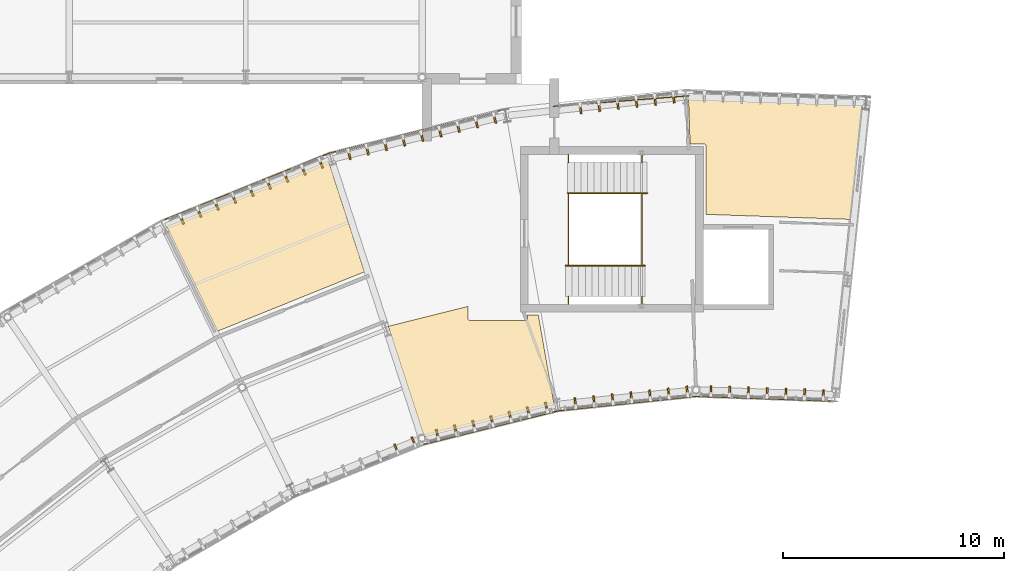
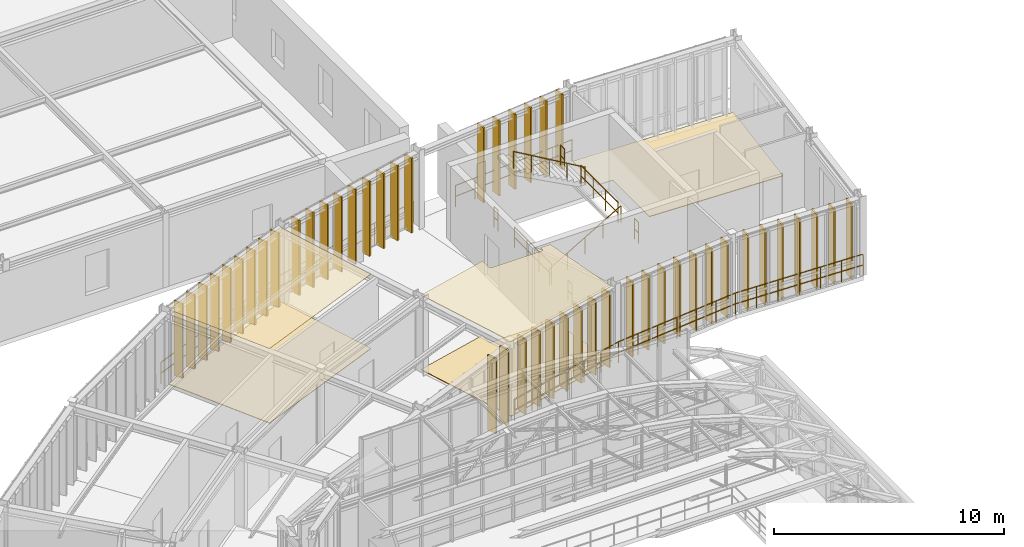
# One storey, part 146 of 148: 52 coverings, 14 railings.
"""IFC4 building model written with IfcOpenShell, lengths in metres."""

from ifc_helpers import new_model, si_unit, direction, frame, origin, origin_2d, place, context, subcontext, project, spatial, polyline, rectangle, circle, outline, extrude, material, layer, layer_set, type_object, element, save


model = new_model("IFC4")

# Units and contexts
model_context = context("Model", 3, precision=1e-05, world=origin(), true_north=direction((0.0, 1.0)))
body_context = subcontext(model_context, "Body", "Model", "MODEL_VIEW")
ifc_project = project(units=[si_unit("LENGTHUNIT", "METRE"), si_unit("AREAUNIT", "SQUARE_METRE"), si_unit("VOLUMEUNIT", "CUBIC_METRE"), si_unit("PLANEANGLEUNIT", "RADIAN"), si_unit("MASSUNIT", "GRAM", prefix="KILO"), si_unit("THERMODYNAMICTEMPERATUREUNIT", "KELVIN"), si_unit("POWERUNIT", "WATT")], contexts=[model_context])

# Site, building, storey
site_placement = place(None, origin())
site = spatial("IfcSite", under=ifc_project, at=site_placement, CompositionType="ELEMENT")
building_placement = place(site_placement, origin())
building = spatial("IfcBuilding", under=site, at=building_placement, Name="Solvatero Civic Police Headquarters", CompositionType="ELEMENT")
storey_placement = place(building_placement, frame((0.0, 0.0, 5.10009765625)))
storey = spatial("IfcBuildingStorey", under=building, at=storey_placement, Name="L01", CompositionType="ELEMENT", Elevation=5.10009765625)

# Coverings
ifc_material_1 = material(Name="Mineral-Fibre Acoustic Tile", Category="gypsum")
ifc_layer_1 = layer(ifc_material_1, 0.02490234375)
ifc_layer_set_1 = layer_set([ifc_layer_1], Name="Mineral-Fibre Acoustic Tile")
covering_type_1 = type_object("IfcCoveringType", Name="COV-CEIL-AC", PredefinedType="CEILING", material=ifc_layer_set_1)
covering_1_placement = place(storey_placement, frame((0.0, 0.0, 3.954833984375)))
element("IfcCovering", 1, at=covering_1_placement, inside=storey, type_object=covering_type_1, Name="Acoustic Ceiling Metropolitan Fraud Investigation Unit Bay 3", PredefinedType="CEILING", context=body_context, shape_type="SweptSolid", body=[
    extrude(outline(polyline([(80.096435546875, 69.1787109375), (78.4619140625, 74.209228515625), (82.080078125, 75.111328125), (82.080078125, 74.56005859375), (82.080322265625, 74.55224609375), (82.08154296875, 74.54443359375), (82.08349609375, 74.536865234375), (82.086181640625, 74.529296875), (82.08935546875, 74.522216796875), (82.093505859375, 74.515625), (82.09814453125, 74.50927734375), (82.103515625, 74.50341796875), (82.109130859375, 74.498291015625), (82.115478515625, 74.493408203125), (82.122314453125, 74.489501953125), (82.12939453125, 74.486083984375), (82.13671875, 74.4833984375), (82.144287109375, 74.4814453125), (82.152099609375, 74.48046875), (82.159912109375, 74.47998046875), (84.68994140625, 74.47998046875), (84.69775390625, 74.48046875), (84.70556640625, 74.4814453125), (84.713134765625, 74.4833984375), (84.720703125, 74.486083984375), (84.727783203125, 74.489501953125), (84.734375, 74.493408203125), (84.74072265625, 74.498291015625), (84.74658203125, 74.50341796875), (84.751708984375, 74.50927734375), (84.756591796875, 74.515625), (84.760498046875, 74.522216796875), (84.763916015625, 74.529296875), (84.7666015625, 74.536865234375), (84.7685546875, 74.54443359375), (84.76953125, 74.55224609375), (84.77001953125, 74.56005859375), (84.77001953125, 74.72998046875), (85.265380859375, 74.72998046875), (85.9853515625, 70.647216796875), (80.096435546875, 69.1787109375)])), origin(), (0.0, 0.0, 1.0), 0.025146484375),
])
covering_2_placement = place(storey_placement, frame((0.0, 0.0, 3.954833984375)))
element("IfcCovering", 2, at=covering_2_placement, inside=storey, type_object=covering_type_1, Name="Acoustic Ceiling Detective Casework Squad Room Bay 4", PredefinedType="CEILING", context=body_context, shape_type="SweptSolid", body=[
    extrude(outline(polyline([(70.728759765625, 73.987060546875), (68.409912109375, 78.7412109375), (75.752197265625, 81.70751953125), (77.38671875, 76.677001953125), (70.728759765625, 73.987060546875)])), origin(), (0.0, 0.0, 1.0), 0.025146484375),
])
ifc_material_2 = material(Name="Anodized Bronze Aluminium", Category="aluminium")
ifc_layer_2 = layer(ifc_material_2, 0.080078125)
ifc_layer_set_2 = layer_set([ifc_layer_2], Name="Anodized Bronze Aluminium")
covering_type_2 = type_object("IfcCoveringType", Name="COV-FIN-480", PredefinedType="CLADDING", material=ifc_layer_set_2)
for number, where, z_axis, x_axis, name in (
    (3, (98.190185546875, 71.101318359375, -0.02001953125), (0.0, 0.0, 1.0), (-0.999390827019, 0.034899496703, 0.0), "Vertical Brise-Soleil Fin 0166"),
    (4, (97.340576171875, 71.131103515625, -0.02001953125), (0.0, 0.0, 1.0), (-0.999390827019, 0.034899496703, 0.0), "Vertical Brise-Soleil Fin 0167"),
    (5, (96.4912109375, 71.16064453125, -0.02001953125), (0.0, 0.0, 1.0), (-0.999390827019, 0.034899496703, 0.0), "Vertical Brise-Soleil Fin 0168"),
    (6, (95.6416015625, 71.1904296875, -0.02001953125), (0.0, 0.0, 1.0), (-0.999390827019, 0.034899496703, 0.0), "Vertical Brise-Soleil Fin 0169"),
    (7, (94.7919921875, 71.219970703125, -0.02001953125), (0.0, 0.0, 1.0), (-0.999390827019, 0.034899496703, 0.0), "Vertical Brise-Soleil Fin 0170"),
    (8, (93.942626953125, 71.249755859375, -0.02001953125), (0.0, 0.0, 1.0), (-0.999390827019, 0.034899496703, 0.0), "Vertical Brise-Soleil Fin 0171"),
    (9, (93.09326171875, 71.279296875, -0.02001953125), (0.0, 0.0, 1.0), (-0.999390827019, 0.034899496703, 0.0), "Vertical Brise-Soleil Fin 0172"),
    (10, (91.404541015625, 84.571044921875, -0.02001953125), (0.0, 0.0, 1.0), (-0.99356395018, -0.113272577893, 0.0), "Vertical Brise-Soleil Fin 0173"),
    (11, (90.559814453125, 84.474853515625, -0.02001953125), (0.0, 0.0, 1.0), (-0.99356395018, -0.113272577893, 0.0), "Vertical Brise-Soleil Fin 0174"),
    (12, (89.71533203125, 84.37841796875, -0.02001953125), (0.0, 0.0, 1.0), (-0.99356395018, -0.113272577893, 0.0), "Vertical Brise-Soleil Fin 0175"),
    (13, (88.870849609375, 84.2822265625, -0.02001953125), (0.0, 0.0, 1.0), (-0.99356395018, -0.113272577893, 0.0), "Vertical Brise-Soleil Fin 0176"),
    (14, (88.0263671875, 84.18603515625, -0.02001953125), (0.0, 0.0, 1.0), (-0.99356395018, -0.113272577893, 0.0), "Vertical Brise-Soleil Fin 0177"),
    (15, (87.181884765625, 84.089599609375, -0.02001953125), (0.0, 0.0, 1.0), (-0.99356395018, -0.113272577893, 0.0), "Vertical Brise-Soleil Fin 0178"),
    (16, (92.01953125, 71.260986328125, -0.02001953125), (0.0, 0.0, 1.0), (-0.994521895368, -0.104528463268, 0.0), "Vertical Brise-Soleil Fin 0179"),
    (17, (91.17431640625, 71.172119140625, -0.02001953125), (0.0, 0.0, 1.0), (-0.994521895368, -0.104528463268, 0.0), "Vertical Brise-Soleil Fin 0180"),
    (18, (90.328857421875, 71.083251953125, -0.02001953125), (0.0, 0.0, 1.0), (-0.994521895368, -0.104528463268, 0.0), "Vertical Brise-Soleil Fin 0181"),
    (19, (89.4833984375, 70.994384765625, -0.02001953125), (0.0, 0.0, 1.0), (-0.994521895368, -0.104528463268, 0.0), "Vertical Brise-Soleil Fin 0182"),
    (20, (88.63818359375, 70.905517578125, -0.02001953125), (0.0, 0.0, 1.0), (-0.994521895368, -0.104528463268, 0.0), "Vertical Brise-Soleil Fin 0183"),
    (21, (87.792724609375, 70.81689453125, -0.02001953125), (0.0, 0.0, 1.0), (-0.994521895368, -0.104528463268, 0.0), "Vertical Brise-Soleil Fin 0184"),
    (22, (86.947509765625, 70.727783203125, -0.02001953125), (0.0, 0.0, 1.0), (-0.994521895368, -0.104528463268, 0.0), "Vertical Brise-Soleil Fin 0185"),
    (23, (83.286865234375, 83.647216796875, -0.02001953125), (0.0, 0.0, 1.0), (-0.970295726276, -0.2419218956, 0.0), "Vertical Brise-Soleil Fin 0186"),
    (24, (82.462158203125, 83.441650390625, -0.02001953125), (0.0, 0.0, 1.0), (-0.970295726276, -0.2419218956, 0.0), "Vertical Brise-Soleil Fin 0187"),
    (25, (81.63720703125, 83.236083984375, -0.02001953125), (0.0, 0.0, 1.0), (-0.970295726276, -0.2419218956, 0.0), "Vertical Brise-Soleil Fin 0188"),
    (26, (80.8125, 83.0302734375, -0.02001953125), (0.0, 0.0, 1.0), (-0.970295726276, -0.2419218956, 0.0), "Vertical Brise-Soleil Fin 0189"),
    (27, (79.98779296875, 82.82470703125, -0.02001953125), (0.0, 0.0, 1.0), (-0.970295726276, -0.2419218956, 0.0), "Vertical Brise-Soleil Fin 0190"),
    (28, (79.1630859375, 82.619140625, -0.02001953125), (0.0, 0.0, 1.0), (-0.970295726276, -0.2419218956, 0.0), "Vertical Brise-Soleil Fin 0191"),
    (29, (78.33837890625, 82.413330078125, -0.02001953125), (0.0, 0.0, 1.0), (-0.970295726276, -0.2419218956, 0.0), "Vertical Brise-Soleil Fin 0192"),
    (30, (77.513671875, 82.207763671875, -0.02001953125), (0.0, 0.0, 1.0), (-0.970295726276, -0.2419218956, 0.0), "Vertical Brise-Soleil Fin 0193"),
    (31, (76.688720703125, 82.002197265625, -0.02001953125), (0.0, 0.0, 1.0), (-0.970295726276, -0.2419218956, 0.0), "Vertical Brise-Soleil Fin 0194"),
    (32, (85.642578125, 70.520751953125, -0.02001953125), (0.0, 0.0, 1.0), (-0.970299948462, -0.241904960708, 0.0), "Vertical Brise-Soleil Fin 0195"),
    (33, (84.818115234375, 70.315185546875, -0.02001953125), (0.0, 0.0, 1.0), (-0.970299948462, -0.241904960708, 0.0), "Vertical Brise-Soleil Fin 0196"),
    (34, (83.9931640625, 70.109375, -0.02001953125), (0.0, 0.0, 1.0), (-0.970299948462, -0.241904960708, 0.0), "Vertical Brise-Soleil Fin 0197"),
    (35, (83.16845703125, 69.90380859375, -0.02001953125), (0.0, 0.0, 1.0), (-0.970299948462, -0.241904960708, 0.0), "Vertical Brise-Soleil Fin 0198"),
    (36, (82.34375, 69.6982421875, -0.02001953125), (0.0, 0.0, 1.0), (-0.970299948462, -0.241904960708, 0.0), "Vertical Brise-Soleil Fin 0199"),
    (37, (81.51904296875, 69.492431640625, -0.02001953125), (0.0, 0.0, 1.0), (-0.970299948462, -0.241904960708, 0.0), "Vertical Brise-Soleil Fin 0200"),
    (38, (80.694091796875, 69.286865234375, -0.02001953125), (0.0, 0.0, 1.0), (-0.970299948462, -0.241904960708, 0.0), "Vertical Brise-Soleil Fin 0201"),
    (39, (75.403564453125, 81.609619140625, -0.02001953125), (0.0, 0.0, 1.0), (-0.927183854567, -0.374606593416, 0.0), "Vertical Brise-Soleil Fin 0202"),
    (40, (74.615478515625, 81.291015625, -0.02001953125), (0.0, 0.0, 1.0), (-0.927183854567, -0.374606593416, 0.0), "Vertical Brise-Soleil Fin 0203"),
    (41, (73.827392578125, 80.97265625, -0.02001953125), (0.0, 0.0, 1.0), (-0.927183854567, -0.374606593416, 0.0), "Vertical Brise-Soleil Fin 0204"),
    (42, (73.039306640625, 80.654296875, -0.02001953125), (0.0, 0.0, 1.0), (-0.927183854567, -0.374606593416, 0.0), "Vertical Brise-Soleil Fin 0205"),
    (43, (72.251220703125, 80.335693359375, -0.02001953125), (0.0, 0.0, 1.0), (-0.927183854567, -0.374606593416, 0.0), "Vertical Brise-Soleil Fin 0206"),
    (44, (71.462890625, 80.017333984375, -0.02001953125), (0.0, 0.0, 1.0), (-0.927183854567, -0.374606593416, 0.0), "Vertical Brise-Soleil Fin 0207"),
    (45, (70.6748046875, 79.698974609375, -0.02001953125), (0.0, 0.0, 1.0), (-0.927183854567, -0.374606593416, 0.0), "Vertical Brise-Soleil Fin 0208"),
    (46, (69.88671875, 79.380615234375, -0.02001953125), (0.0, 0.0, 1.0), (-0.927183854567, -0.374606593416, 0.0), "Vertical Brise-Soleil Fin 0209"),
    (47, (69.0986328125, 79.062255859375, -0.02001953125), (0.0, 0.0, 1.0), (-0.927183854567, -0.374606593416, 0.0), "Vertical Brise-Soleil Fin 0210"),
    (48, (79.62060546875, 68.9619140625, -0.02001953125), (0.0, 0.0, 1.0), (-0.927183854567, -0.374606593416, 0.0), "Vertical Brise-Soleil Fin 0211"),
    (49, (78.83251953125, 68.6435546875, -0.02001953125), (0.0, 0.0, 1.0), (-0.927183854567, -0.374606593416, 0.0), "Vertical Brise-Soleil Fin 0212"),
):
    element("IfcCovering", number, at=place(storey_placement, frame(where, z_axis=z_axis, x_axis=x_axis)), inside=storey, type_object=covering_type_2, Name=name, PredefinedType="CLADDING", context=body_context, shape_type="SweptSolid", body=[
        extrude(rectangle(XDim=0.080078125, YDim=0.47998046875, at=origin_2d()), origin(), (0.0, 0.0, 1.0), 3.97998046875),
    ])
ifc_material_3 = material(Name="Venetian Terrazzo Stone", Category="masonry")
ifc_layer_3 = layer(ifc_material_3, 0.034912109375)
ifc_layer_set_3 = layer_set([ifc_layer_3], Name="Venetian Terrazzo Stone")
covering_type_3 = type_object("IfcCoveringType", Name="COV-FLR-TER", PredefinedType="FLOORING", material=ifc_layer_set_3)
covering_3_placement = place(storey_placement, origin())
element("IfcCovering", 50, at=covering_3_placement, inside=storey, type_object=covering_type_3, Name="Flooring Detective Casework Squad Room Bay 1", PredefinedType="FLOORING", context=body_context, shape_type="SweptSolid", body=[
    extrude(outline(polyline([(92.07421875, 84.58984375), (100.00830078125, 84.312744140625), (99.455322265625, 79.052490234375), (92.8701171875, 79.2822265625), (92.8701171875, 82.389892578125), (92.86962890625, 82.397705078125), (92.868408203125, 82.405517578125), (92.86669921875, 82.4130859375), (92.864013671875, 82.420654296875), (92.860595703125, 82.427734375), (92.8564453125, 82.434326171875), (92.851806640625, 82.44091796875), (92.8466796875, 82.446533203125), (92.8408203125, 82.451904296875), (92.83447265625, 82.45654296875), (92.82763671875, 82.460693359375), (92.820556640625, 82.4638671875), (92.813232421875, 82.466552734375), (92.8056640625, 82.468505859375), (92.7978515625, 82.469482421875), (92.7900390625, 82.469970703125), (92.148193359375, 82.469970703125), (92.07421875, 84.58984375)])), origin(), (0.0, 0.0, 1.0), 0.034912109375),
])
covering_4_placement = place(storey_placement, origin())
element("IfcCovering", 51, at=covering_4_placement, inside=storey, type_object=covering_type_3, Name="Flooring Metropolitan Fraud Investigation Unit Bay 3", PredefinedType="FLOORING", context=body_context, shape_type="SweptSolid", body=[
    extrude(outline(polyline([(80.096435546875, 69.1787109375), (78.4619140625, 74.209228515625), (82.080078125, 75.111328125), (82.080078125, 74.56005859375), (82.080322265625, 74.55224609375), (82.08154296875, 74.54443359375), (82.08349609375, 74.536865234375), (82.086181640625, 74.529296875), (82.08935546875, 74.522216796875), (82.093505859375, 74.515625), (82.09814453125, 74.50927734375), (82.103515625, 74.50341796875), (82.109130859375, 74.498291015625), (82.115478515625, 74.493408203125), (82.122314453125, 74.489501953125), (82.12939453125, 74.486083984375), (82.13671875, 74.4833984375), (82.144287109375, 74.4814453125), (82.152099609375, 74.48046875), (82.159912109375, 74.47998046875), (84.68994140625, 74.47998046875), (84.69775390625, 74.48046875), (84.70556640625, 74.4814453125), (84.713134765625, 74.4833984375), (84.720703125, 74.486083984375), (84.727783203125, 74.489501953125), (84.734375, 74.493408203125), (84.74072265625, 74.498291015625), (84.74658203125, 74.50341796875), (84.751708984375, 74.50927734375), (84.756591796875, 74.515625), (84.760498046875, 74.522216796875), (84.763916015625, 74.529296875), (84.7666015625, 74.536865234375), (84.7685546875, 74.54443359375), (84.76953125, 74.55224609375), (84.77001953125, 74.56005859375), (84.77001953125, 74.72998046875), (85.265380859375, 74.72998046875), (85.9853515625, 70.647216796875), (80.096435546875, 69.1787109375)])), origin(), (0.0, 0.0, 1.0), 0.034912109375),
])
covering_5_placement = place(storey_placement, origin())
element("IfcCovering", 52, at=covering_5_placement, inside=storey, type_object=covering_type_3, Name="Flooring Detective Casework Squad Room Bay 4", PredefinedType="FLOORING", context=body_context, shape_type="SweptSolid", body=[
    extrude(outline(polyline([(70.728759765625, 73.987060546875), (68.409912109375, 78.7412109375), (75.752197265625, 81.70751953125), (77.38671875, 76.677001953125), (70.728759765625, 73.987060546875)])), origin(), (0.0, 0.0, 1.0), 0.034912109375),
])

# Railings
ifc_material_4 = material(Name="Anodized Bronze and Laminated Glass", Category="glass")
railing_type_1 = type_object("IfcRailingType", Name="RL-BAL-115", PredefinedType="BALUSTRADE", material=ifc_material_4)
railing_1_placement = place(storey_placement, frame((85.949951171875, 84.179931640625, 0.0)))
element("IfcRailing", 53, at=railing_1_placement, inside=storey, type_object=railing_type_1, Name="Glazed Facade Sill Balustrade RL-L01-ARCOUT-B02E", PredefinedType="BALUSTRADE", context=body_context, shape_type="SweptSolid", body=[
    extrude(circle(Radius=0.02392578125, at=origin_2d()), frame((0.0, 0.0, 1.1259765625), z_axis=(0.996968428446, 0.077807150583, 0.0), x_axis=(-0.077807150583, 0.996968428446, 0.0)), (0.0, 0.0, 1.0), 6.1689453125),
    extrude(circle(Radius=0.02392578125, at=origin_2d()), frame((0.0, 0.0, 0.55078125), z_axis=(0.996968428446, 0.077807150583, 0.0), x_axis=(-0.077807150583, 0.996968428446, 0.0)), (0.0, 0.0, 1.0), 6.1689453125),
    extrude(circle(Radius=0.02099609375, at=origin_2d()), origin(), (0.0, 0.0, 1.0), 1.101806640625),
    extrude(circle(Radius=0.02099609375, at=origin_2d()), frame((1.02490234375, 0.080078125, 0.0)), (0.0, 0.0, 1.0), 1.101806640625),
    extrude(circle(Radius=0.02099609375, at=origin_2d()), frame((2.050048828125, 0.159912109375, 0.0)), (0.0, 0.0, 1.0), 1.101806640625),
    extrude(circle(Radius=0.02099609375, at=origin_2d()), frame((3.0751953125, 0.239990234375, 0.0)), (0.0, 0.0, 1.0), 1.101806640625),
    extrude(circle(Radius=0.02099609375, at=origin_2d()), frame((4.10009765625, 0.320068359375, 0.0)), (0.0, 0.0, 1.0), 1.101806640625),
    extrude(circle(Radius=0.02099609375, at=origin_2d()), frame((5.125, 0.39990234375, 0.0)), (0.0, 0.0, 1.0), 1.101806640625),
    extrude(circle(Radius=0.02099609375, at=origin_2d()), frame((6.150146484375, 0.47998046875, 0.0)), (0.0, 0.0, 1.0), 1.101806640625),
])
railing_2_placement = place(storey_placement, frame((98.710205078125, 70.813232421875, 0.0)))
element("IfcRailing", 54, at=railing_2_placement, inside=storey, type_object=railing_type_1, Name="Glazed Facade Sill Balustrade RL-L01-ARCIN-B01", PredefinedType="BALUSTRADE", context=body_context, shape_type="SweptSolid", body=[
    extrude(circle(Radius=0.02392578125, at=origin_2d()), frame((0.0, 0.0, 1.1259765625), z_axis=(-0.999390354314, 0.034913030564, 0.0), x_axis=(-0.034913030564, -0.999390354314, 0.0)), (0.0, 0.0, 1.0), 6.28662109375),
    extrude(circle(Radius=0.02392578125, at=origin_2d()), frame((0.0, 0.0, 0.55078125), z_axis=(-0.999390354314, 0.034913030564, 0.0), x_axis=(-0.034913030564, -0.999390354314, 0.0)), (0.0, 0.0, 1.0), 6.28662109375),
    extrude(circle(Radius=0.02099609375, at=origin_2d()), origin(), (0.0, 0.0, 1.0), 1.101806640625),
    extrude(circle(Radius=0.02099609375, at=origin_2d()), frame((-1.047119140625, 0.03662109375, 0.0)), (0.0, 0.0, 1.0), 1.101806640625),
    extrude(circle(Radius=0.02099609375, at=origin_2d()), frame((-2.09423828125, 0.0732421875, 0.0)), (0.0, 0.0, 1.0), 1.101806640625),
    extrude(circle(Radius=0.02099609375, at=origin_2d()), frame((-3.141357421875, 0.10986328125, 0.0)), (0.0, 0.0, 1.0), 1.101806640625),
    extrude(circle(Radius=0.02099609375, at=origin_2d()), frame((-4.1884765625, 0.146240234375, 0.0)), (0.0, 0.0, 1.0), 1.101806640625),
    extrude(circle(Radius=0.02099609375, at=origin_2d()), frame((-5.235595703125, 0.182861328125, 0.0)), (0.0, 0.0, 1.0), 1.101806640625),
    extrude(circle(Radius=0.02099609375, at=origin_2d()), frame((-6.28271484375, 0.219482421875, 0.0)), (0.0, 0.0, 1.0), 1.101806640625),
])
railing_3_placement = place(storey_placement, frame((92.427490234375, 71.03271484375, 0.0)))
element("IfcRailing", 55, at=railing_3_placement, inside=storey, type_object=railing_type_1, Name="Glazed Facade Sill Balustrade RL-L01-ARCIN-B02", PredefinedType="BALUSTRADE", context=body_context, shape_type="SweptSolid", body=[
    extrude(circle(Radius=0.02392578125, at=origin_2d()), frame((0.0, 0.0, 1.1259765625), z_axis=(-0.994520338393, -0.104543275839, 0.0), x_axis=(0.104543275839, -0.994520338393, 0.0)), (0.0, 0.0, 1.0), 6.28662109375),
    extrude(circle(Radius=0.02392578125, at=origin_2d()), frame((0.0, 0.0, 0.55078125), z_axis=(-0.994520338393, -0.104543275839, 0.0), x_axis=(0.104543275839, -0.994520338393, 0.0)), (0.0, 0.0, 1.0), 6.28662109375),
    extrude(circle(Radius=0.02099609375, at=origin_2d()), origin(), (0.0, 0.0, 1.0), 1.101806640625),
    extrude(circle(Radius=0.02099609375, at=origin_2d()), frame((-1.0419921875, -0.109619140625, 0.0)), (0.0, 0.0, 1.0), 1.101806640625),
    extrude(circle(Radius=0.02099609375, at=origin_2d()), frame((-2.083984375, -0.218994140625, 0.0)), (0.0, 0.0, 1.0), 1.101806640625),
    extrude(circle(Radius=0.02099609375, at=origin_2d()), frame((-3.1259765625, -0.32861328125, 0.0)), (0.0, 0.0, 1.0), 1.101806640625),
    extrude(circle(Radius=0.02099609375, at=origin_2d()), frame((-4.168212890625, -0.438232421875, 0.0)), (0.0, 0.0, 1.0), 1.101806640625),
    extrude(circle(Radius=0.02099609375, at=origin_2d()), frame((-5.210205078125, -0.547607421875, 0.0)), (0.0, 0.0, 1.0), 1.101806640625),
    extrude(circle(Radius=0.02099609375, at=origin_2d()), frame((-6.252197265625, -0.6572265625, 0.0)), (0.0, 0.0, 1.0), 1.101806640625),
])
railing_4_placement = place(storey_placement, frame((86.17529296875, 70.37548828125, 0.0)))
element("IfcRailing", 56, at=railing_4_placement, inside=storey, type_object=railing_type_1, Name="Glazed Facade Sill Balustrade RL-L01-ARCIN-B03", PredefinedType="BALUSTRADE", context=body_context, shape_type="SweptSolid", body=[
    extrude(circle(Radius=0.02392578125, at=origin_2d()), frame((0.0, 0.0, 1.1259765625), z_axis=(-0.970288531479, -0.241950750525, 0.0), x_axis=(0.241950750525, -0.970288531479, 0.0)), (0.0, 0.0, 1.0), 6.286376953125),
    extrude(circle(Radius=0.02392578125, at=origin_2d()), frame((0.0, 0.0, 0.55078125), z_axis=(-0.970288531479, -0.241950750525, 0.0), x_axis=(0.241950750525, -0.970288531479, 0.0)), (0.0, 0.0, 1.0), 6.286376953125),
    extrude(circle(Radius=0.02099609375, at=origin_2d()), origin(), (0.0, 0.0, 1.0), 1.101806640625),
    extrude(circle(Radius=0.02099609375, at=origin_2d()), frame((-1.0166015625, -0.25341796875, 0.0)), (0.0, 0.0, 1.0), 1.101806640625),
    extrude(circle(Radius=0.02099609375, at=origin_2d()), frame((-2.033203125, -0.507080078125, 0.0)), (0.0, 0.0, 1.0), 1.101806640625),
    extrude(circle(Radius=0.02099609375, at=origin_2d()), frame((-3.0498046875, -0.760498046875, 0.0)), (0.0, 0.0, 1.0), 1.101806640625),
    extrude(circle(Radius=0.02099609375, at=origin_2d()), frame((-4.06640625, -1.013916015625, 0.0)), (0.0, 0.0, 1.0), 1.101806640625),
    extrude(circle(Radius=0.02099609375, at=origin_2d()), frame((-5.0830078125, -1.267578125, 0.0)), (0.0, 0.0, 1.0), 1.101806640625),
    extrude(circle(Radius=0.02099609375, at=origin_2d()), frame((-6.099609375, -1.52099609375, 0.0)), (0.0, 0.0, 1.0), 1.101806640625),
])
railing_5_placement = place(storey_placement, frame((83.76513671875, 84.044677734375, 0.0)))
element("IfcRailing", 57, at=railing_5_placement, inside=storey, type_object=railing_type_1, Name="Glazed Facade Sill Balustrade RL-L01-ARCOUT-B03", PredefinedType="BALUSTRADE", context=body_context, shape_type="SweptSolid", body=[
    extrude(circle(Radius=0.02392578125, at=origin_2d()), frame((0.0, 0.0, 1.1259765625), z_axis=(-0.970295999012, -0.241920801712, 0.0), x_axis=(0.241920801712, -0.970295999012, 0.0)), (0.0, 0.0, 1.0), 8.22265625),
    extrude(circle(Radius=0.02392578125, at=origin_2d()), frame((0.0, 0.0, 0.55078125), z_axis=(-0.970295999012, -0.241920801712, 0.0), x_axis=(0.241920801712, -0.970295999012, 0.0)), (0.0, 0.0, 1.0), 8.22265625),
    extrude(circle(Radius=0.02099609375, at=origin_2d()), origin(), (0.0, 0.0, 1.0), 1.101806640625),
    extrude(circle(Radius=0.02099609375, at=origin_2d()), frame((-1.139892578125, -0.2841796875, 0.0)), (0.0, 0.0, 1.0), 1.101806640625),
    extrude(circle(Radius=0.02099609375, at=origin_2d()), frame((-2.279541015625, -0.568359375, 0.0)), (0.0, 0.0, 1.0), 1.101806640625),
    extrude(circle(Radius=0.02099609375, at=origin_2d()), frame((-3.41943359375, -0.8525390625, 0.0)), (0.0, 0.0, 1.0), 1.101806640625),
    extrude(circle(Radius=0.02099609375, at=origin_2d()), frame((-4.55908203125, -1.13671875, 0.0)), (0.0, 0.0, 1.0), 1.101806640625),
    extrude(circle(Radius=0.02099609375, at=origin_2d()), frame((-5.698974609375, -1.4208984375, 0.0)), (0.0, 0.0, 1.0), 1.101806640625),
    extrude(circle(Radius=0.02099609375, at=origin_2d()), frame((-6.838623046875, -1.705078125, 0.0)), (0.0, 0.0, 1.0), 1.101806640625),
    extrude(circle(Radius=0.02099609375, at=origin_2d()), frame((-7.978515625, -1.9892578125, 0.0)), (0.0, 0.0, 1.0), 1.101806640625),
])
railing_6_placement = place(storey_placement, frame((75.78662109375, 82.055419921875, 0.0)))
element("IfcRailing", 58, at=railing_6_placement, inside=storey, type_object=railing_type_1, Name="Glazed Facade Sill Balustrade RL-L01-ARCOUT-B04", PredefinedType="BALUSTRADE", context=body_context, shape_type="SweptSolid", body=[
    extrude(circle(Radius=0.02392578125, at=origin_2d()), frame((0.0, 0.0, 1.1259765625), z_axis=(-0.927176996953, -0.374623566158, 0.0), x_axis=(0.374623566158, -0.927176996953, 0.0)), (0.0, 0.0, 1.0), 8.22314453125),
    extrude(circle(Radius=0.02392578125, at=origin_2d()), frame((0.0, 0.0, 0.55078125), z_axis=(-0.927176996953, -0.374623566158, 0.0), x_axis=(0.374623566158, -0.927176996953, 0.0)), (0.0, 0.0, 1.0), 8.22314453125),
    extrude(circle(Radius=0.02099609375, at=origin_2d()), origin(), (0.0, 0.0, 1.0), 1.101806640625),
    extrude(circle(Radius=0.02099609375, at=origin_2d()), frame((-1.089111328125, -0.440185546875, 0.0)), (0.0, 0.0, 1.0), 1.101806640625),
    extrude(circle(Radius=0.02099609375, at=origin_2d()), frame((-2.178466796875, -0.880126953125, 0.0)), (0.0, 0.0, 1.0), 1.101806640625),
    extrude(circle(Radius=0.02099609375, at=origin_2d()), frame((-3.267578125, -1.3203125, 0.0)), (0.0, 0.0, 1.0), 1.101806640625),
    extrude(circle(Radius=0.02099609375, at=origin_2d()), frame((-4.356689453125, -1.76025390625, 0.0)), (0.0, 0.0, 1.0), 1.101806640625),
    extrude(circle(Radius=0.02099609375, at=origin_2d()), frame((-5.44580078125, -2.200439453125, 0.0)), (0.0, 0.0, 1.0), 1.101806640625),
    extrude(circle(Radius=0.02099609375, at=origin_2d()), frame((-6.53515625, -2.640380859375, 0.0)), (0.0, 0.0, 1.0), 1.101806640625),
    extrude(circle(Radius=0.02099609375, at=origin_2d()), frame((-7.624267578125, -3.08056640625, 0.0)), (0.0, 0.0, 1.0), 1.101806640625),
])
ifc_material_5 = material(Name="Painted Galvanized Steel", Category="steel")
railing_type_2 = type_object("IfcRailingType", Name="RL-GRD-110", PredefinedType="GUARDRAIL", material=ifc_material_5)
railing_7_placement = place(storey_placement, frame((86.6298828125, 76.97998046875, 0.0)))
element("IfcRailing", 59, at=railing_7_placement, inside=storey, type_object=railing_type_2, Name="ST-C3 L01 Floor Well Guardrail", PredefinedType="GUARDRAIL", context=body_context, shape_type="SweptSolid", body=[
    extrude(circle(Radius=0.02392578125, at=origin_2d()), frame((0.0, 0.0, 1.09619140625), z_axis=(0.0, 1.0, 0.0), x_axis=(-1.0, 0.0, 0.0)), (0.0, 0.0, 1.0), 3.239990234375),
    extrude(circle(Radius=0.02392578125, at=origin_2d()), frame((0.0, 0.0, 0.5361328125), z_axis=(0.0, 1.0, 0.0), x_axis=(-1.0, 0.0, 0.0)), (0.0, 0.0, 1.0), 3.239990234375),
    extrude(circle(Radius=0.02099609375, at=origin_2d()), origin(), (0.0, 0.0, 1.0), 1.072021484375),
    extrude(circle(Radius=0.02099609375, at=origin_2d()), frame((0.0, 1.080078125, 0.0)), (0.0, 0.0, 1.0), 1.072021484375),
    extrude(circle(Radius=0.02099609375, at=origin_2d()), frame((0.0, 2.159912109375, 0.0)), (0.0, 0.0, 1.0), 1.072021484375),
    extrude(circle(Radius=0.02099609375, at=origin_2d()), frame((0.0, 3.239990234375, 0.0)), (0.0, 0.0, 1.0), 1.072021484375),
])
for number, where, name in (
    (60, (86.6298828125, 75.2099609375, 0.0), "ST-C3 L01 Floor Well South Slot Guardrail"),
    (61, (86.6298828125, 81.6298828125, 0.0), "ST-C3 L01 Floor Well North Slot Guardrail"),
):
    element("IfcRailing", number, at=place(storey_placement, frame(where)), inside=storey, type_object=railing_type_2, Name=name, PredefinedType="GUARDRAIL", context=body_context, shape_type="SweptSolid", body=[
        extrude(circle(Radius=0.02392578125, at=origin_2d()), frame((0.0, 0.0, 1.09619140625), z_axis=(0.0, 1.0, 0.0), x_axis=(-1.0, 0.0, 0.0)), (0.0, 0.0, 1.0), 0.360107421875),
        extrude(circle(Radius=0.02392578125, at=origin_2d()), frame((0.0, 0.0, 0.5361328125), z_axis=(0.0, 1.0, 0.0), x_axis=(-1.0, 0.0, 0.0)), (0.0, 0.0, 1.0), 0.360107421875),
        extrude(circle(Radius=0.02099609375, at=origin_2d()), origin(), (0.0, 0.0, 1.0), 1.072021484375),
        extrude(circle(Radius=0.02099609375, at=origin_2d()), frame((0.0, 0.360107421875, 0.0)), (0.0, 0.0, 1.0), 1.072021484375),
    ])
railing_8_placement = place(storey_placement, frame((89.969970703125, 76.97998046875, 2.099853515625)))
element("IfcRailing", 62, at=railing_8_placement, inside=storey, type_object=railing_type_2, Name="ST-C3 L01 Half-Landing Well Guardrail", PredefinedType="GUARDRAIL", context=body_context, shape_type="SweptSolid", body=[
    extrude(circle(Radius=0.02392578125, at=origin_2d()), frame((0.0, 0.0, 1.09619140625), z_axis=(0.0, 1.0, 0.0), x_axis=(-1.0, 0.0, 0.0)), (0.0, 0.0, 1.0), 3.239990234375),
    extrude(circle(Radius=0.02392578125, at=origin_2d()), frame((0.0, 0.0, 0.5361328125), z_axis=(0.0, 1.0, 0.0), x_axis=(-1.0, 0.0, 0.0)), (0.0, 0.0, 1.0), 3.239990234375),
    extrude(circle(Radius=0.02099609375, at=origin_2d()), origin(), (0.0, 0.0, 1.0), 1.072021484375),
    extrude(circle(Radius=0.02099609375, at=origin_2d()), frame((0.0, 1.080078125, 0.0)), (0.0, 0.0, 1.0), 1.072021484375),
    extrude(circle(Radius=0.02099609375, at=origin_2d()), frame((0.0, 2.159912109375, 0.0)), (0.0, 0.0, 1.0), 1.072021484375),
    extrude(circle(Radius=0.02099609375, at=origin_2d()), frame((0.0, 3.239990234375, 0.0)), (0.0, 0.0, 1.0), 1.072021484375),
])
for number, where, name in (
    (63, (89.969970703125, 75.2099609375, 2.099853515625), "ST-C3 L01 Half-Landing South Slot Guardrail"),
    (64, (89.969970703125, 81.6298828125, 2.099853515625), "ST-C3 L01 Half-Landing North Slot Guardrail"),
):
    element("IfcRailing", number, at=place(storey_placement, frame(where)), inside=storey, type_object=railing_type_2, Name=name, PredefinedType="GUARDRAIL", context=body_context, shape_type="SweptSolid", body=[
        extrude(circle(Radius=0.02392578125, at=origin_2d()), frame((0.0, 0.0, 1.09619140625), z_axis=(0.0, 1.0, 0.0), x_axis=(-1.0, 0.0, 0.0)), (0.0, 0.0, 1.0), 0.360107421875),
        extrude(circle(Radius=0.02392578125, at=origin_2d()), frame((0.0, 0.0, 0.5361328125), z_axis=(0.0, 1.0, 0.0), x_axis=(-1.0, 0.0, 0.0)), (0.0, 0.0, 1.0), 0.360107421875),
        extrude(circle(Radius=0.02099609375, at=origin_2d()), origin(), (0.0, 0.0, 1.0), 1.072021484375),
        extrude(circle(Radius=0.02099609375, at=origin_2d()), frame((0.0, 0.360107421875, 0.0)), (0.0, 0.0, 1.0), 1.072021484375),
    ])
ifc_material_6 = material(Name="Brushed Stainless Steel", Category="steel")
railing_type_3 = type_object("IfcRailingType", Name="RL-HND-092", PredefinedType="HANDRAIL", material=ifc_material_6)
railing_9_placement = place(storey_placement, frame((86.5, 76.949951171875, 0.0)))
element("IfcRailing", 65, at=railing_9_placement, inside=storey, type_object=railing_type_3, Name="ST-C3 L01 Flight 1 Handrail", PredefinedType="HANDRAIL", context=body_context, shape_type="SweptSolid", body=[
    extrude(circle(Radius=0.02392578125, at=origin_2d()), frame((0.0, 0.0, 0.89599609375), z_axis=(0.863800146258, 0.0, 0.503834603144), x_axis=(0.0, 1.0, 0.0)), (0.0, 0.0, 1.0), 4.167724609375),
    extrude(circle(Radius=0.02099609375, at=origin_2d()), origin(), (0.0, 0.0, 1.0), 0.871826171875),
    extrude(circle(Radius=0.02099609375, at=origin_2d()), frame((0.89990234375, 0.0, 0.52490234375)), (0.0, 0.0, 1.0), 0.871826171875),
    extrude(circle(Radius=0.02099609375, at=origin_2d()), frame((1.800048828125, 0.0, 1.0498046875)), (0.0, 0.0, 1.0), 0.871826171875),
    extrude(circle(Radius=0.02099609375, at=origin_2d()), frame((2.7001953125, 0.0, 1.574951171875)), (0.0, 0.0, 1.0), 0.871826171875),
    extrude(circle(Radius=0.02099609375, at=origin_2d()), frame((3.60009765625, 0.0, 2.099853515625)), (0.0, 0.0, 1.0), 0.871826171875),
])
railing_10_placement = place(storey_placement, frame((90.199951171875, 80.25, 2.099853515625)))
element("IfcRailing", 66, at=railing_10_placement, inside=storey, type_object=railing_type_3, Name="ST-C3 L01 Flight 2 Handrail", PredefinedType="HANDRAIL", context=body_context, shape_type="SweptSolid", body=[
    extrude(circle(Radius=0.02392578125, at=origin_2d()), frame((0.0, 0.0, 0.89599609375), z_axis=(-0.863759778359, 0.0, 0.503903805591), x_axis=(0.0, -1.0, 0.0)), (0.0, 0.0, 1.0), 4.167724609375),
    extrude(circle(Radius=0.02099609375, at=origin_2d()), origin(), (0.0, 0.0, 1.0), 0.871826171875),
    extrude(circle(Radius=0.02099609375, at=origin_2d()), frame((-0.89990234375, 0.0, 0.52490234375)), (0.0, 0.0, 1.0), 0.871826171875),
    extrude(circle(Radius=0.02099609375, at=origin_2d()), frame((-1.7998046875, 0.0, 1.050048828125)), (0.0, 0.0, 1.0), 0.871826171875),
    extrude(circle(Radius=0.02099609375, at=origin_2d()), frame((-2.699951171875, 0.0, 1.5751953125)), (0.0, 0.0, 1.0), 0.871826171875),
    extrude(circle(Radius=0.02099609375, at=origin_2d()), frame((-3.599853515625, 0.0, 2.10009765625)), (0.0, 0.0, 1.0), 0.871826171875),
])

save(model, "model.ifc")
